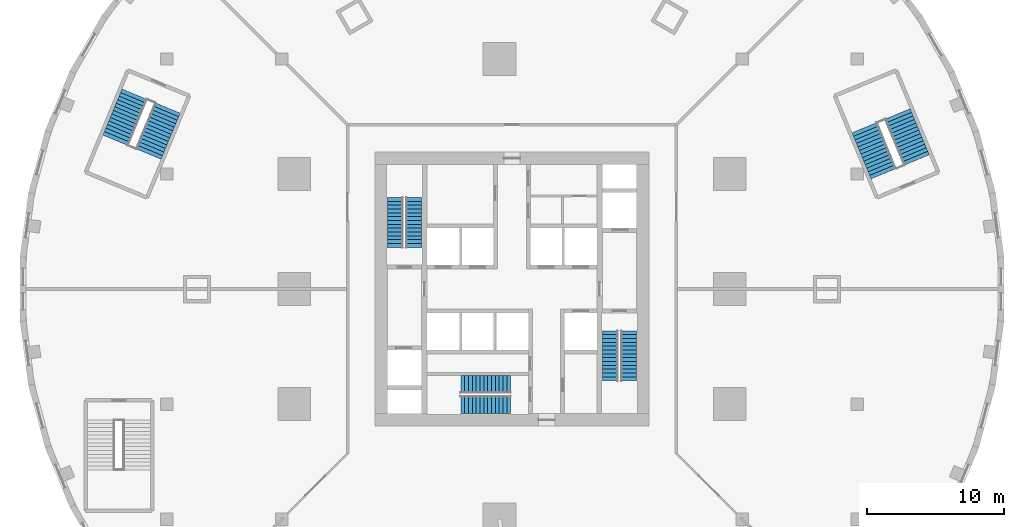
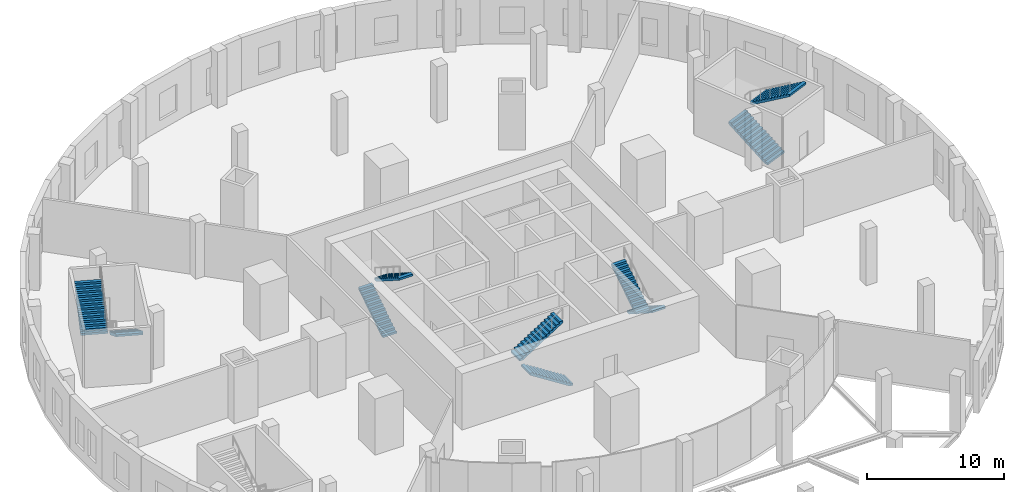
# One storey, part 8 of 11: 10 stair flights, 5 elements without a shape of their own.
"""IFC4 building model written with IfcOpenShell, lengths in metres."""

from ifc_helpers import new_model, si_unit, direction, frame, origin, place, context, subcontext, project, spatial, polyline, outline, extrude, material, type_object, element, aggregate, save


model = new_model("IFC4")

# Units and contexts
model_context = context("Model", 3, precision=1e-05, world=origin(), true_north=direction((0.0, 1.0)))
body_context = subcontext(model_context, "Body", "Model", "MODEL_VIEW")
ifc_project = project(units=[si_unit("LENGTHUNIT", "METRE"), si_unit("AREAUNIT", "SQUARE_METRE"), si_unit("VOLUMEUNIT", "CUBIC_METRE"), si_unit("PLANEANGLEUNIT", "RADIAN"), si_unit("MASSUNIT", "GRAM", prefix="KILO")], contexts=[model_context])

# Site, building, storey
site_placement = place(None, origin())
site = spatial("IfcSite", under=ifc_project, at=site_placement, CompositionType="ELEMENT")
building_placement = place(site_placement, origin())
building = spatial("IfcBuilding", under=site, at=building_placement, Name="Golbaran Civic Tower", CompositionType="ELEMENT")
storey_placement = place(building_placement, frame((0.0, 0.0, 11.0)))
storey = spatial("IfcBuildingStorey", under=building, at=storey_placement, Name="L02", CompositionType="ELEMENT", Elevation=11.0)

# Stair, stair flights
ifc_material = material(Name="Concrete C35/45", Category="concrete")
stair_type_1 = type_object("IfcStairType", Name="EXIT STAIR 2500 x 7350, 5000 RISE", PredefinedType="HALF_TURN_STAIR", material=ifc_material)
stair_1_placement = place(storey_placement, origin())
stair_1 = element("IfcStair", 1, at=stair_1_placement, inside=storey, type_object=stair_type_1, Name="Stair S1 L02", PredefinedType="HALF_TURN_STAIR")
stair_flight_type_1 = type_object("IfcStairFlightType", Name="STAIR FLIGHT 1150 WIDE", PredefinedType="STRAIGHT", material=ifc_material)
stair_flight_1_placement = place(storey_placement, frame((-8.52490234375, 3.050048828125, 0.0), z_axis=(0.0, 0.0, 1.0), x_axis=(0.0, 1.0, 0.0)))
stair_flight_1 = element("IfcStairFlight", 2, at=stair_flight_1_placement, type_object=stair_flight_type_1, Name="ST25074-50 flight 1", NumberOfRisers=14, NumberOfTreads=13, PredefinedType="STRAIGHT", RiserHeight=0.178571429, TreadLength=0.28, context=body_context, shape_type="SweptSolid", body=[
    extrude(outline(polyline([(0.0, 0.0), (0.0, 0.178466796875), (0.280029296875, 0.178466796875), (0.280029296875, 0.357177734375), (0.56005859375, 0.357177734375), (0.56005859375, 0.53564453125), (0.840087890625, 0.53564453125), (0.840087890625, 0.71435546875), (1.1201171875, 0.71435546875), (1.1201171875, 0.892822265625), (1.39990234375, 0.892822265625), (1.39990234375, 1.071533203125), (1.679931640625, 1.071533203125), (1.679931640625, 1.25), (1.9599609375, 1.25), (1.9599609375, 1.428466796875), (2.239990234375, 1.428466796875), (2.239990234375, 1.607177734375), (2.52001953125, 1.607177734375), (2.52001953125, 1.78564453125), (2.800048828125, 1.78564453125), (2.800048828125, 1.96435546875), (3.080078125, 1.96435546875), (3.080078125, 2.142822265625), (3.360107421875, 2.142822265625), (3.360107421875, 2.321533203125), (3.639892578125, 2.321533203125), (3.639892578125, 2.5), (3.639892578125, 2.1435546875), (0.27880859375, 0.0), (0.0, 0.0)])), frame((0.0, 0.574951171875, 0.0), z_axis=(0.0, -1.0, 0.0), x_axis=(1.0, 0.0, 0.0)), (0.0, 0.0, 1.0), 1.14990234375),
])
stair_flight_2_placement = place(storey_placement, frame((-7.175048828125, 6.68994140625, 2.5), z_axis=(0.0, 0.0, 1.0), x_axis=(0.0, -1.0, 0.0)))
stair_flight_2 = element("IfcStairFlight", 3, at=stair_flight_2_placement, type_object=stair_flight_type_1, Name="ST25074-50 flight 2", NumberOfRisers=14, NumberOfTreads=13, PredefinedType="STRAIGHT", RiserHeight=0.178571429, TreadLength=0.28, context=body_context, shape_type="SweptSolid", body=[
    extrude(outline(polyline([(0.0, 0.0), (0.0, 0.178466796875), (0.280029296875, 0.178466796875), (0.280029296875, 0.357177734375), (0.56005859375, 0.357177734375), (0.56005859375, 0.53564453125), (0.840087890625, 0.53564453125), (0.840087890625, 0.71435546875), (1.1201171875, 0.71435546875), (1.1201171875, 0.892822265625), (1.39990234375, 0.892822265625), (1.39990234375, 1.071533203125), (1.679931640625, 1.071533203125), (1.679931640625, 1.25), (1.9599609375, 1.25), (1.9599609375, 1.428466796875), (2.239990234375, 1.428466796875), (2.239990234375, 1.607177734375), (2.52001953125, 1.607177734375), (2.52001953125, 1.78564453125), (2.800048828125, 1.78564453125), (2.800048828125, 1.96435546875), (3.080078125, 1.96435546875), (3.080078125, 2.142822265625), (3.360107421875, 2.142822265625), (3.360107421875, 2.321533203125), (3.639892578125, 2.321533203125), (3.639892578125, 2.5), (3.639892578125, 2.1435546875), (0.27880859375, 0.0), (0.0, 0.0)])), frame((0.0, 0.574951171875, 0.0), z_axis=(0.0, -1.0, 0.0), x_axis=(1.0, 0.0, 0.0)), (0.0, 0.0, 1.0), 1.14990234375),
])
aggregate(stair_1, [stair_flight_1, stair_flight_2])

stair_2_placement = place(storey_placement, origin())
stair_2 = element("IfcStair", 4, at=stair_2_placement, inside=storey, type_object=stair_type_1, Name="Stair S2 L02", PredefinedType="HALF_TURN_STAIR")
stair_flight_3_placement = place(storey_placement, frame((8.52490234375, -3.050048828125, 0.0), z_axis=(0.0, 0.0, 1.0), x_axis=(0.0, -1.0, 0.0)))
stair_flight_3 = element("IfcStairFlight", 5, at=stair_flight_3_placement, type_object=stair_flight_type_1, Name="ST25074-50 flight 1", NumberOfRisers=14, NumberOfTreads=13, PredefinedType="STRAIGHT", RiserHeight=0.178571429, TreadLength=0.28, context=body_context, shape_type="SweptSolid", body=[
    extrude(outline(polyline([(0.0, 0.0), (0.0, 0.178466796875), (0.280029296875, 0.178466796875), (0.280029296875, 0.357177734375), (0.56005859375, 0.357177734375), (0.56005859375, 0.53564453125), (0.840087890625, 0.53564453125), (0.840087890625, 0.71435546875), (1.1201171875, 0.71435546875), (1.1201171875, 0.892822265625), (1.39990234375, 0.892822265625), (1.39990234375, 1.071533203125), (1.679931640625, 1.071533203125), (1.679931640625, 1.25), (1.9599609375, 1.25), (1.9599609375, 1.428466796875), (2.239990234375, 1.428466796875), (2.239990234375, 1.607177734375), (2.52001953125, 1.607177734375), (2.52001953125, 1.78564453125), (2.800048828125, 1.78564453125), (2.800048828125, 1.96435546875), (3.080078125, 1.96435546875), (3.080078125, 2.142822265625), (3.360107421875, 2.142822265625), (3.360107421875, 2.321533203125), (3.639892578125, 2.321533203125), (3.639892578125, 2.5), (3.639892578125, 2.1435546875), (0.27880859375, 0.0), (0.0, 0.0)])), frame((0.0, 0.574951171875, 0.0), z_axis=(0.0, -1.0, 0.0), x_axis=(1.0, 0.0, 0.0)), (0.0, 0.0, 1.0), 1.14990234375),
])
stair_flight_4_placement = place(storey_placement, frame((7.175048828125, -6.68994140625, 2.5), z_axis=(0.0, 0.0, 1.0), x_axis=(0.0, 1.0, 0.0)))
stair_flight_4 = element("IfcStairFlight", 6, at=stair_flight_4_placement, type_object=stair_flight_type_1, Name="ST25074-50 flight 2", NumberOfRisers=14, NumberOfTreads=13, PredefinedType="STRAIGHT", RiserHeight=0.178571429, TreadLength=0.28, context=body_context, shape_type="SweptSolid", body=[
    extrude(outline(polyline([(0.0, 0.0), (0.0, 0.178466796875), (0.280029296875, 0.178466796875), (0.280029296875, 0.357177734375), (0.56005859375, 0.357177734375), (0.56005859375, 0.53564453125), (0.840087890625, 0.53564453125), (0.840087890625, 0.71435546875), (1.1201171875, 0.71435546875), (1.1201171875, 0.892822265625), (1.39990234375, 0.892822265625), (1.39990234375, 1.071533203125), (1.679931640625, 1.071533203125), (1.679931640625, 1.25), (1.9599609375, 1.25), (1.9599609375, 1.428466796875), (2.239990234375, 1.428466796875), (2.239990234375, 1.607177734375), (2.52001953125, 1.607177734375), (2.52001953125, 1.78564453125), (2.800048828125, 1.78564453125), (2.800048828125, 1.96435546875), (3.080078125, 1.96435546875), (3.080078125, 2.142822265625), (3.360107421875, 2.142822265625), (3.360107421875, 2.321533203125), (3.639892578125, 2.321533203125), (3.639892578125, 2.5), (3.639892578125, 2.1435546875), (0.27880859375, 0.0), (0.0, 0.0)])), frame((0.0, 0.574951171875, 0.0), z_axis=(0.0, -1.0, 0.0), x_axis=(1.0, 0.0, 0.0)), (0.0, 0.0, 1.0), 1.14990234375),
])
aggregate(stair_2, [stair_flight_3, stair_flight_4])

stair_type_2 = type_object("IfcStairType", Name="EXIT STAIR 2800 x 7400, 5000 RISE", PredefinedType="HALF_TURN_STAIR", material=ifc_material)
stair_3_placement = place(storey_placement, origin())
stair_3 = element("IfcStair", 7, at=stair_3_placement, inside=storey, type_object=stair_type_2, Name="Stair S3 L02", PredefinedType="HALF_TURN_STAIR")
stair_flight_type_2 = type_object("IfcStairFlightType", Name="STAIR FLIGHT 1300 WIDE", PredefinedType="STRAIGHT", material=ifc_material)
stair_flight_5_placement = place(storey_placement, frame((-0.10009765625, -8.449951171875, 0.0), z_axis=(0.0, 0.0, 1.0), x_axis=(-1.0, 0.0, 0.0)))
stair_flight_5 = element("IfcStairFlight", 8, at=stair_flight_5_placement, type_object=stair_flight_type_2, Name="ST28074-50 flight 1", NumberOfRisers=14, NumberOfTreads=13, PredefinedType="STRAIGHT", RiserHeight=0.178571429, TreadLength=0.28, context=body_context, shape_type="SweptSolid", body=[
    extrude(outline(polyline([(0.0, 0.0), (0.0, 0.178466796875), (0.280029296875, 0.178466796875), (0.280029296875, 0.357177734375), (0.56005859375, 0.357177734375), (0.56005859375, 0.53564453125), (0.840087890625, 0.53564453125), (0.840087890625, 0.71435546875), (1.1201171875, 0.71435546875), (1.1201171875, 0.892822265625), (1.39990234375, 0.892822265625), (1.39990234375, 1.071533203125), (1.679931640625, 1.071533203125), (1.679931640625, 1.25), (1.9599609375, 1.25), (1.9599609375, 1.428466796875), (2.239990234375, 1.428466796875), (2.239990234375, 1.607177734375), (2.52001953125, 1.607177734375), (2.52001953125, 1.78564453125), (2.800048828125, 1.78564453125), (2.800048828125, 1.96435546875), (3.080078125, 1.96435546875), (3.080078125, 2.142822265625), (3.360107421875, 2.142822265625), (3.360107421875, 2.321533203125), (3.639892578125, 2.321533203125), (3.639892578125, 2.5), (3.639892578125, 2.1435546875), (0.27880859375, 0.0), (0.0, 0.0)])), frame((0.0, 0.64990234375, 0.0), z_axis=(0.0, -1.0, 0.0), x_axis=(1.0, 0.0, 0.0)), (0.0, 0.0, 1.0), 1.300048828125),
])
stair_flight_6_placement = place(storey_placement, frame((-3.739990234375, -6.949951171875, 2.5), z_axis=(0.0, 0.0, 1.0), x_axis=(1.0, 0.0, 0.0)))
stair_flight_6 = element("IfcStairFlight", 9, at=stair_flight_6_placement, type_object=stair_flight_type_2, Name="ST28074-50 flight 2", NumberOfRisers=14, NumberOfTreads=13, PredefinedType="STRAIGHT", RiserHeight=0.178571429, TreadLength=0.28, context=body_context, shape_type="SweptSolid", body=[
    extrude(outline(polyline([(0.0, 0.0), (0.0, 0.178466796875), (0.280029296875, 0.178466796875), (0.280029296875, 0.357177734375), (0.56005859375, 0.357177734375), (0.56005859375, 0.53564453125), (0.840087890625, 0.53564453125), (0.840087890625, 0.71435546875), (1.1201171875, 0.71435546875), (1.1201171875, 0.892822265625), (1.39990234375, 0.892822265625), (1.39990234375, 1.071533203125), (1.679931640625, 1.071533203125), (1.679931640625, 1.25), (1.9599609375, 1.25), (1.9599609375, 1.428466796875), (2.239990234375, 1.428466796875), (2.239990234375, 1.607177734375), (2.52001953125, 1.607177734375), (2.52001953125, 1.78564453125), (2.800048828125, 1.78564453125), (2.800048828125, 1.96435546875), (3.080078125, 1.96435546875), (3.080078125, 2.142822265625), (3.360107421875, 2.142822265625), (3.360107421875, 2.321533203125), (3.639892578125, 2.321533203125), (3.639892578125, 2.5), (3.639892578125, 2.1435546875), (0.27880859375, 0.0), (0.0, 0.0)])), frame((0.0, 0.64990234375, 0.0), z_axis=(0.0, -1.0, 0.0), x_axis=(1.0, 0.0, 0.0)), (0.0, 0.0, 1.0), 1.300048828125),
])
aggregate(stair_3, [stair_flight_5, stair_flight_6])

stair_type_3 = type_object("IfcStairType", Name="EXIT STAIR 4600 x 7800, 5000 RISE", PredefinedType="HALF_TURN_STAIR", material=ifc_material)
stair_4_placement = place(storey_placement, origin())
stair_4 = element("IfcStair", 10, at=stair_4_placement, inside=storey, type_object=stair_type_3, Name="Stair P1 L02", PredefinedType="HALF_TURN_STAIR")
stair_flight_type_3 = type_object("IfcStairFlightType", Name="STAIR FLIGHT 2000 WIDE", PredefinedType="STRAIGHT", material=ifc_material)
stair_flight_7_placement = place(storey_placement, frame((27.140869140625, 8.427734375, 0.0), z_axis=(0.0, 0.0, 1.0), x_axis=(-0.382683432365, 0.923879532511, 0.0)))
stair_flight_7 = element("IfcStairFlight", 11, at=stair_flight_7_placement, type_object=stair_flight_type_3, Name="ST46078-50 flight 1", NumberOfRisers=14, NumberOfTreads=13, PredefinedType="STRAIGHT", RiserHeight=0.178571429, TreadLength=0.28, context=body_context, shape_type="SweptSolid", body=[
    extrude(outline(polyline([(0.0, 0.0), (0.0, 0.178466796875), (0.280029296875, 0.178466796875), (0.280029296875, 0.357177734375), (0.56005859375, 0.357177734375), (0.56005859375, 0.53564453125), (0.840087890625, 0.53564453125), (0.840087890625, 0.71435546875), (1.1201171875, 0.71435546875), (1.1201171875, 0.892822265625), (1.39990234375, 0.892822265625), (1.39990234375, 1.071533203125), (1.679931640625, 1.071533203125), (1.679931640625, 1.25), (1.9599609375, 1.25), (1.9599609375, 1.428466796875), (2.239990234375, 1.428466796875), (2.239990234375, 1.607177734375), (2.52001953125, 1.607177734375), (2.52001953125, 1.78564453125), (2.800048828125, 1.78564453125), (2.800048828125, 1.96435546875), (3.080078125, 1.96435546875), (3.080078125, 2.142822265625), (3.360107421875, 2.142822265625), (3.360107421875, 2.321533203125), (3.639892578125, 2.321533203125), (3.639892578125, 2.5), (3.639892578125, 2.1435546875), (0.27880859375, 0.0), (0.0, 0.0)])), frame((0.0, 1.0, 0.0), z_axis=(0.0, -1.0, 0.0), x_axis=(1.0, 0.0, 0.0)), (0.0, 0.0, 1.0), 2.0),
])
stair_flight_8_placement = place(storey_placement, frame((28.14990234375, 12.78564453125, 2.5), z_axis=(0.0, 0.0, 1.0), x_axis=(0.382683432365, -0.923879532511, 0.0)))
stair_flight_8 = element("IfcStairFlight", 12, at=stair_flight_8_placement, type_object=stair_flight_type_3, Name="ST46078-50 flight 2", NumberOfRisers=14, NumberOfTreads=13, PredefinedType="STRAIGHT", RiserHeight=0.178571429, TreadLength=0.28, context=body_context, shape_type="SweptSolid", body=[
    extrude(outline(polyline([(0.0, 0.0), (0.0, 0.178466796875), (0.280029296875, 0.178466796875), (0.280029296875, 0.357177734375), (0.56005859375, 0.357177734375), (0.56005859375, 0.53564453125), (0.840087890625, 0.53564453125), (0.840087890625, 0.71435546875), (1.1201171875, 0.71435546875), (1.1201171875, 0.892822265625), (1.39990234375, 0.892822265625), (1.39990234375, 1.071533203125), (1.679931640625, 1.071533203125), (1.679931640625, 1.25), (1.9599609375, 1.25), (1.9599609375, 1.428466796875), (2.239990234375, 1.428466796875), (2.239990234375, 1.607177734375), (2.52001953125, 1.607177734375), (2.52001953125, 1.78564453125), (2.800048828125, 1.78564453125), (2.800048828125, 1.96435546875), (3.080078125, 1.96435546875), (3.080078125, 2.142822265625), (3.360107421875, 2.142822265625), (3.360107421875, 2.321533203125), (3.639892578125, 2.321533203125), (3.639892578125, 2.5), (3.639892578125, 2.1435546875), (0.27880859375, 0.0), (0.0, 0.0)])), frame((0.0, 1.0, 0.0), z_axis=(0.0, -1.0, 0.0), x_axis=(1.0, 0.0, 0.0)), (0.0, 0.0, 1.0), 2.0),
])
aggregate(stair_4, [stair_flight_7, stair_flight_8])

stair_5_placement = place(storey_placement, origin())
stair_5 = element("IfcStair", 13, at=stair_5_placement, inside=storey, type_object=stair_type_3, Name="Stair P2 L02", PredefinedType="HALF_TURN_STAIR")
stair_flight_9_placement = place(storey_placement, frame((-25.15087890625, 13.23193359375, 0.0), z_axis=(0.0, 0.0, 1.0), x_axis=(-0.382683432365, -0.923879532511, 0.0)))
stair_flight_9 = element("IfcStairFlight", 14, at=stair_flight_9_placement, type_object=stair_flight_type_3, Name="ST46078-50 flight 1", NumberOfRisers=14, NumberOfTreads=13, PredefinedType="STRAIGHT", RiserHeight=0.178571429, TreadLength=0.28, context=body_context, shape_type="SweptSolid", body=[
    extrude(outline(polyline([(0.0, 0.0), (0.0, 0.178466796875), (0.280029296875, 0.178466796875), (0.280029296875, 0.357177734375), (0.56005859375, 0.357177734375), (0.56005859375, 0.53564453125), (0.840087890625, 0.53564453125), (0.840087890625, 0.71435546875), (1.1201171875, 0.71435546875), (1.1201171875, 0.892822265625), (1.39990234375, 0.892822265625), (1.39990234375, 1.071533203125), (1.679931640625, 1.071533203125), (1.679931640625, 1.25), (1.9599609375, 1.25), (1.9599609375, 1.428466796875), (2.239990234375, 1.428466796875), (2.239990234375, 1.607177734375), (2.52001953125, 1.607177734375), (2.52001953125, 1.78564453125), (2.800048828125, 1.78564453125), (2.800048828125, 1.96435546875), (3.080078125, 1.96435546875), (3.080078125, 2.142822265625), (3.360107421875, 2.142822265625), (3.360107421875, 2.321533203125), (3.639892578125, 2.321533203125), (3.639892578125, 2.5), (3.639892578125, 2.1435546875), (0.27880859375, 0.0), (0.0, 0.0)])), frame((0.0, 1.0, 0.0), z_axis=(0.0, -1.0, 0.0), x_axis=(1.0, 0.0, 0.0)), (0.0, 0.0, 1.0), 2.0),
])
stair_flight_10_placement = place(storey_placement, frame((-28.94580078125, 10.864013671875, 2.5), z_axis=(0.0, 0.0, 1.0), x_axis=(0.382683432365, 0.923879532511, 0.0)))
stair_flight_10 = element("IfcStairFlight", 15, at=stair_flight_10_placement, type_object=stair_flight_type_3, Name="ST46078-50 flight 2", NumberOfRisers=14, NumberOfTreads=13, PredefinedType="STRAIGHT", RiserHeight=0.178571429, TreadLength=0.28, context=body_context, shape_type="SweptSolid", body=[
    extrude(outline(polyline([(0.0, 0.0), (0.0, 0.178466796875), (0.280029296875, 0.178466796875), (0.280029296875, 0.357177734375), (0.56005859375, 0.357177734375), (0.56005859375, 0.53564453125), (0.840087890625, 0.53564453125), (0.840087890625, 0.71435546875), (1.1201171875, 0.71435546875), (1.1201171875, 0.892822265625), (1.39990234375, 0.892822265625), (1.39990234375, 1.071533203125), (1.679931640625, 1.071533203125), (1.679931640625, 1.25), (1.9599609375, 1.25), (1.9599609375, 1.428466796875), (2.239990234375, 1.428466796875), (2.239990234375, 1.607177734375), (2.52001953125, 1.607177734375), (2.52001953125, 1.78564453125), (2.800048828125, 1.78564453125), (2.800048828125, 1.96435546875), (3.080078125, 1.96435546875), (3.080078125, 2.142822265625), (3.360107421875, 2.142822265625), (3.360107421875, 2.321533203125), (3.639892578125, 2.321533203125), (3.639892578125, 2.5), (3.639892578125, 2.1435546875), (0.27880859375, 0.0), (0.0, 0.0)])), frame((0.0, 1.0, 0.0), z_axis=(0.0, -1.0, 0.0), x_axis=(1.0, 0.0, 0.0)), (0.0, 0.0, 1.0), 2.0),
])
aggregate(stair_5, [stair_flight_9, stair_flight_10])

save(model, "model.ifc")
